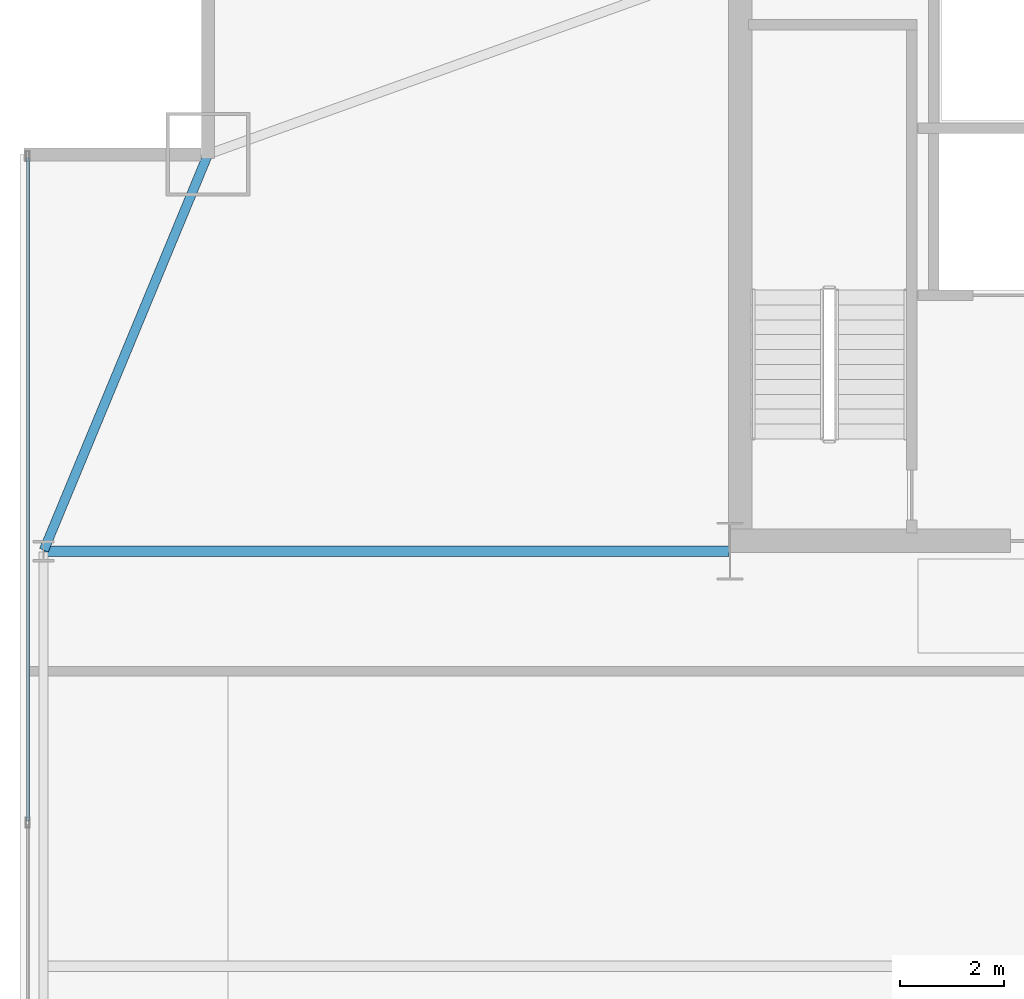
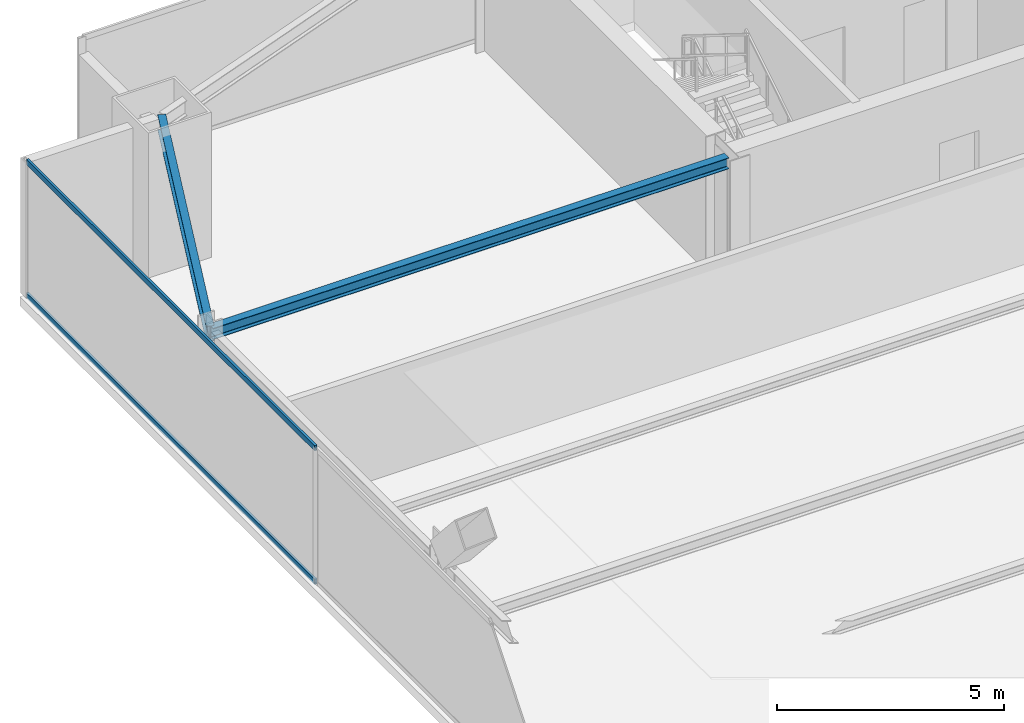
# One storey, part 20 of 35: 2 beams, 2 members, 1 element without a shape of its own.
"""IFC4 building model written with IfcOpenShell, lengths in metres."""

import ifcopenshell
import ifcopenshell.guid

model = None  # the IFC model being written
_history = None  # IfcOwnerHistory: only IFC2X3 demands one
_inside = {}  # id of a spatial element -> (the spatial element, [elements in it])
_under = {}  # id of a project, library or spatial element -> (it, [spatial elements below it])
_declared = {}  # id of a project -> (the project, [libraries it declares])
_typed = {}  # id of a type object -> (the type object, [elements of that type])
_made_of = {}  # id of a material, layer set ... -> (it, [elements and type objects made of it])


def new_model(schema):
    """Start an empty IFC model of exactly this schema.

    Asked for "IFC4X3", IfcOpenShell would pick the latest addendum, in which some entities
    have other attributes; the version numbers below select the first issue.
    IFC2X3 requires an IfcOwnerHistory on every rooted entity: one is made here for all.
    """
    global model, _history
    if schema == "IFC4X3":
        model = ifcopenshell.file(schema_version=(4, 3, 0, 0))
    else:
        model = ifcopenshell.file(schema=schema)
    _inside.clear()
    _under.clear()
    _declared.clear()
    _typed.clear()
    _made_of.clear()
    _history = None
    if model.schema == "IFC2X3":
        org = make("IfcOrganization", Name="unknown")
        user = make(
            "IfcPersonAndOrganization",
            ThePerson=make("IfcPerson", FamilyName="unknown"),
            TheOrganization=org,
        )
        app = make(
            "IfcApplication",
            ApplicationDeveloper=org,
            Version="unknown",
            ApplicationFullName="unknown",
            ApplicationIdentifier="unknown",
        )
        _history = make(
            "IfcOwnerHistory",
            OwningUser=user,
            OwningApplication=app,
            ChangeAction="ADDED",
            CreationDate=0,
        )
    return model


def make(cls, **values):
    """One entity of the class cls with the attributes given. An attribute that is None is left unset."""
    return model.create_entity(
        cls, **{name: value for name, value in values.items() if value is not None}
    )


def rooted(cls, **values):
    """An entity with a GlobalId (a new one), such as an element, a storey or a relation."""
    return make(cls, GlobalId=ifcopenshell.guid.new(), OwnerHistory=_history, **values)


def si_unit(unit_type, name, prefix=None):
    """IfcSIUnit, for example si_unit("LENGTHUNIT", "METRE", prefix="MILLI")."""
    return make("IfcSIUnit", UnitType=unit_type, Prefix=prefix, Name=name)


def assignment(units):
    """IfcUnitAssignment: the units of a project."""
    return None if units is None else make("IfcUnitAssignment", Units=units)


def point(xyz):
    """IfcCartesianPoint."""
    return None if xyz is None else make("IfcCartesianPoint", Coordinates=xyz)


def direction(xyz):
    """IfcDirection."""
    return None if xyz is None else make("IfcDirection", DirectionRatios=xyz)


def frame(location, z_axis=None, x_axis=None):
    """IfcAxis2Placement3D, a coordinate frame: its origin and axes. An axis left out is left unset."""
    return make(
        "IfcAxis2Placement3D",
        Location=point(location),
        Axis=direction(z_axis),
        RefDirection=direction(x_axis),
    )


def frame_2d(location, x_axis=None):
    """IfcAxis2Placement2D, a coordinate frame in the plane: its origin and x axis."""
    return make(
        "IfcAxis2Placement2D", Location=point(location), RefDirection=direction(x_axis)
    )


def origin():
    """The frame at (0, 0, 0) with its axes left unset."""
    return frame((0.0, 0.0, 0.0))


def origin_2d():
    """The frame at (0, 0) in the plane with its x axis left unset."""
    return frame_2d((0.0, 0.0))


def place(relative_to, where):
    """IfcLocalPlacement: puts the frame where relative to a parent placement (None: the world)."""
    return make(
        "IfcLocalPlacement", PlacementRelTo=relative_to, RelativePlacement=where
    )


def context(
    kind, dimensions, precision=None, world=None, true_north=None, identifier=None
):
    """IfcGeometricRepresentationContext, for example the 3D "Model" context."""
    return make(
        "IfcGeometricRepresentationContext",
        ContextIdentifier=identifier,
        ContextType=kind,
        CoordinateSpaceDimension=dimensions,
        Precision=precision,
        WorldCoordinateSystem=world,
        TrueNorth=true_north,
    )


def subcontext(parent, identifier, kind, view, scale=None):
    """IfcGeometricRepresentationSubContext, for example "Body" below "Model"."""
    return make(
        "IfcGeometricRepresentationSubContext",
        ContextIdentifier=identifier,
        ContextType=kind,
        ParentContext=parent,
        TargetScale=scale,
        TargetView=view,
    )


def project(units=None, contexts=None):
    """IfcProject with its units and contexts."""
    return rooted(
        "IfcProject",
        Name="project",
        RepresentationContexts=contexts,
        UnitsInContext=assignment(units),
    )


def spatial(cls, under=None, at=None, **own):
    """A site, building, storey or space (cls), placed at a placement, below another one or the project."""
    s = rooted(cls, ObjectPlacement=at, **own)
    if under is not None:
        _under.setdefault(under.id(), (under, []))[1].append(s)
    return s


def profile(cls, at=None, kind="AREA", **sizes):
    """A parametric profile (cls). Its sizes go by their IFC names, for example OverallWidth=200.0."""
    return make(cls, ProfileType=kind, Position=at, **sizes)


def hollow_rectangle(**sizes):
    """IfcRectangleHollowProfileDef."""
    return profile("IfcRectangleHollowProfileDef", **sizes)


def i_section(**sizes):
    """IfcIShapeProfileDef."""
    return profile("IfcIShapeProfileDef", **sizes)


def extrude(swept, where, along, depth):
    """IfcExtrudedAreaSolid: the profile swept, set in the frame where, extruded along a direction by depth."""
    return make(
        "IfcExtrudedAreaSolid",
        SweptArea=swept,
        Position=where,
        ExtrudedDirection=direction(along),
        Depth=depth,
    )


def shape(context_of_items, identifier, shape_type, items):
    """IfcShapeRepresentation: the items that make up one representation, for example the "Body"."""
    return make(
        "IfcShapeRepresentation",
        ContextOfItems=context_of_items,
        RepresentationIdentifier=identifier,
        RepresentationType=shape_type,
        Items=items,
    )


def source(mapping_origin, context_of_items, identifier, shape_type, items):
    """IfcRepresentationMap: a shape defined once, which mapped items show again and again."""
    return make(
        "IfcRepresentationMap",
        MappingOrigin=mapping_origin,
        MappedRepresentation=shape(context_of_items, identifier, shape_type, items),
    )


def transform(
    local_origin,
    x_axis=None,
    y_axis=None,
    z_axis=None,
    scale=None,
    scale2=None,
    scale3=None,
    uniform=True,
):
    """IfcCartesianTransformationOperator3D, or its non-uniform kind. x_axis, y_axis, z_axis: its Axis1, 2, 3."""
    if uniform:
        return make(
            "IfcCartesianTransformationOperator3D",
            Axis1=direction(x_axis),
            Axis2=direction(y_axis),
            LocalOrigin=point(local_origin),
            Scale=scale,
            Axis3=direction(z_axis),
        )
    return make(
        "IfcCartesianTransformationOperator3DnonUniform",
        Axis1=direction(x_axis),
        Axis2=direction(y_axis),
        LocalOrigin=point(local_origin),
        Scale=scale,
        Axis3=direction(z_axis),
        Scale2=scale2,
        Scale3=scale3,
    )


def mapped(mapping_source, mapping_target):
    """IfcMappedItem: shows the shape of a source again, moved by a transform."""
    return make(
        "IfcMappedItem", MappingSource=mapping_source, MappingTarget=mapping_target
    )


def material(Name=None, Category=None):
    """IfcMaterial."""
    return make("IfcMaterial", Name=Name, Category=Category)


def layer(
    of_material, thickness, ventilated=None, Name=None, Category=None, Priority=None
):
    """IfcMaterialLayer: one layer of a wall or slab, of a material (None: an air gap)."""
    return make(
        "IfcMaterialLayer",
        Material=of_material,
        LayerThickness=thickness,
        IsVentilated=ventilated,
        Name=Name,
        Category=Category,
        Priority=Priority,
    )


def layer_set(layers, Name=None):
    """IfcMaterialLayerSet."""
    return make("IfcMaterialLayerSet", MaterialLayers=layers, LayerSetName=Name)


def material_profile(
    of_material, cross_section, Name=None, Category=None, Priority=None
):
    """IfcMaterialProfile: a cross section and its material."""
    return make(
        "IfcMaterialProfile",
        Name=Name,
        Material=of_material,
        Profile=cross_section,
        Priority=Priority,
        Category=Category,
    )


def profile_set(profiles, Name=None, composite=None):
    """IfcMaterialProfileSet."""
    return make(
        "IfcMaterialProfileSet",
        Name=Name,
        MaterialProfiles=profiles,
        CompositeProfile=composite,
    )


def made_of(thing, what):
    """Note that an element or type object is made of a material, layer set ...; save() writes the relation."""
    if what is not None:
        _made_of.setdefault(what.id(), (what, []))[1].append(thing)
    return thing


def type_object(cls, material=None, **own):
    """A type object (cls), such as IfcWallType, which elements share."""
    return made_of(rooted(cls, **own), material)


def type_shapes(of_type, sources):
    """Give a type object the sources (RepresentationMaps) that its elements show as mapped items."""
    of_type.RepresentationMaps = sources


def element(
    cls,
    number,
    at=None,
    inside=None,
    cuts=None,
    type_object=None,
    material=None,
    context=None,
    identifier="Body",
    shape_type=None,
    held_by="IfcProductDefinitionShape",
    body=None,
    shapes=None,
    **own,
):
    """One element of the class cls, such as IfcWall. Its Tag is "e" and its number.

    at: its placement. inside: the storey or other place that contains it. cuts: it is an
    opening in that element (IfcRelVoidsElement). A single representation is given by context,
    identifier, shape_type and body (its items); several are given by shapes. held_by: the class
    of the entity that holds the representations. save() writes the other relations.
    """
    e = rooted(cls, Tag="e%d" % number, ObjectPlacement=at, **own)
    if body is not None:
        shapes = [shape(context, identifier, shape_type, body)]
    if shapes is not None:
        e.Representation = make(held_by, Representations=shapes)
    if inside is not None:
        _inside.setdefault(inside.id(), (inside, []))[1].append(e)
    if cuts is not None:
        rooted(
            "IfcRelVoidsElement", RelatingBuildingElement=cuts, RelatedOpeningElement=e
        )
    if type_object is not None:
        _typed.setdefault(type_object.id(), (type_object, []))[1].append(e)
    return made_of(e, material)


def aggregate(whole, parts):
    """IfcRelAggregates: a whole, such as a stair, and the parts it consists of."""
    return rooted("IfcRelAggregates", RelatingObject=whole, RelatedObjects=parts)


def save(model, path):
    """Write the relations noted so far, then the file.

    IfcRelAggregates (storeys below a building ...), IfcRelContainedInSpatialStructure (elements
    in a storey), IfcRelDefinesByType, IfcRelAssociatesMaterial and IfcRelDeclares: one each for
    every whole, place, type object, material and project.
    """
    for whole, parts in _under.values():
        aggregate(whole, parts)
    for where, things in _inside.values():
        rooted(
            "IfcRelContainedInSpatialStructure",
            RelatedElements=things,
            RelatingStructure=where,
        )
    for kind, things in _typed.values():
        rooted("IfcRelDefinesByType", RelatedObjects=things, RelatingType=kind)
    for what, things in _made_of.values():
        rooted("IfcRelAssociatesMaterial", RelatedObjects=things, RelatingMaterial=what)
    for by, libraries in _declared.values():
        rooted("IfcRelDeclares", RelatingContext=by, RelatedDefinitions=libraries)
    model.write(path)


model = new_model("IFC4")

# Units and contexts
model_context = context("Model", 3, precision=1e-05, world=origin(), true_north=direction((0.0, 1.0)))
body_context = subcontext(model_context, "Body", "Model", "MODEL_VIEW")
ifc_project = project(units=[si_unit("LENGTHUNIT", "METRE"), si_unit("AREAUNIT", "SQUARE_METRE"), si_unit("VOLUMEUNIT", "CUBIC_METRE"), si_unit("PLANEANGLEUNIT", "RADIAN"), si_unit("MASSUNIT", "GRAM", prefix="KILO")], contexts=[model_context])

# Site, building, storey
site_placement = place(None, origin())
site = spatial("IfcSite", under=ifc_project, at=site_placement, CompositionType="ELEMENT")
building_placement = place(site_placement, origin())
building = spatial("IfcBuilding", under=site, at=building_placement, Name="Varnel Quay Broadcast Tower", CompositionType="ELEMENT")
storey_placement = place(building_placement, frame((0.0, 0.0, 66.60009765625)))
storey = spatial("IfcBuildingStorey", under=building, at=storey_placement, Name="L15", CompositionType="ELEMENT", Elevation=66.60009765625)

# Beams
ifc_material_1 = material(Name="Structural Steel CSA G40.21 350W", Category="steel")
ifc_material_profile_1 = material_profile(ifc_material_1, i_section(OverallWidth=0.180908203125, OverallDepth=0.4169921875, WebThickness=0.010986328125, FlangeThickness=0.018310546875, FilletRadius=0.011962890625, at=origin_2d()), Name="W410X85")
ifc_profile_set_1 = profile_set([ifc_material_profile_1], Name="Structural Steel CSA G40.21 350W")
beam_type_1 = type_object("IfcBeamType", Name="Beam_W410X85", PredefinedType="SPANDREL", material=ifc_profile_set_1)
shared_shape_1 = source(origin(), body_context, "Body", "SweptSolid", [
    extrude(i_section(OverallWidth=0.180908203125, OverallDepth=0.4169921875, WebThickness=0.010986328125, FlangeThickness=0.018310546875, FilletRadius=0.011962890625, at=origin_2d()), origin(), (0.0, 0.0, 1.0), 8.186767578125),
])
type_shapes(beam_type_1, [shared_shape_1])
beam_1_placement = place(storey_placement, frame((2.457763671875, 35.618408203125, 3.44140625), z_axis=(0.382874132092, 0.923800519038, 0.0), x_axis=(-0.923800519038, 0.382874132092, 0.0)))
element("IfcBeam", 1, at=beam_1_placement, inside=storey, type_object=beam_type_1, Name="L15 West Spandrel TC-W3-MC-NW", PredefinedType="SPANDREL", context=body_context, shape_type="MappedRepresentation", body=[
    mapped(shared_shape_1, transform((0.0, 0.0, 0.0), x_axis=(1.0, 0.0, 0.0), y_axis=(0.0, 1.0, 0.0), z_axis=(0.0, 0.0, 1.0), scale=1.0)),
])
ifc_material_profile_2 = material_profile(ifc_material_1, i_section(OverallWidth=0.202880859375, OverallDepth=0.302978515625, WebThickness=0.007568359375, FlangeThickness=0.01318359375, FilletRadius=0.011962890625, at=origin_2d()), Name="W310X60")
ifc_profile_set_2 = profile_set([ifc_material_profile_2], Name="Structural Steel CSA G40.21 350W")
beam_type_2 = type_object("IfcBeamType", Name="Beam_W310X60", PredefinedType="JOIST", material=ifc_profile_set_2)
shared_shape_2 = source(origin(), body_context, "Body", "SweptSolid", [
    extrude(i_section(OverallWidth=0.202880859375, OverallDepth=0.302978515625, WebThickness=0.007568359375, FlangeThickness=0.01318359375, FilletRadius=0.011962890625, at=origin_2d()), origin(), (0.0, 0.0, 1.0), 13.110107421875),
])
type_shapes(beam_type_2, [shared_shape_2])
beam_2_placement = place(storey_placement, frame((2.469970703125, 35.60009765625, 3.498291015625), z_axis=(1.0, 0.0, 0.0), x_axis=(0.0, 1.0, 0.0)))
element("IfcBeam", 2, at=beam_2_placement, inside=storey, type_object=beam_type_2, Name="L15 West Core Tie Joist", PredefinedType="JOIST", context=body_context, shape_type="MappedRepresentation", body=[
    mapped(shared_shape_2, transform((0.0, 0.0, 0.0), x_axis=(1.0, 0.0, 0.0), y_axis=(0.0, 1.0, 0.0), z_axis=(0.0, 0.0, 1.0), scale=1.0)),
])

# Curtain wall, members
ifc_material_2 = material(Name="Anodised Bronze Aluminium 6063-T6", Category="aluminium")
ifc_layer = layer(ifc_material_2, 0.18994140625, Name="Anodised Bronze Aluminium 6063-T6")
ifc_layer_set = layer_set([ifc_layer], Name="Anodised Bronze Aluminium 6063-T6")
curtain_wall_type = type_object("IfcCurtainWallType", Name="CW_LowerTower", PredefinedType="NOTDEFINED", material=ifc_layer_set)
curtain_wall_placement = place(storey_placement, origin())
curtain_wall = element("IfcCurtainWall", 3, at=curtain_wall_placement, inside=storey, type_object=curtain_wall_type, Name="L15 West Unitised Curtain Wall", PredefinedType="NOTDEFINED")
ifc_material_profile_3 = material_profile(ifc_material_2, hollow_rectangle(XDim=0.06005859375, YDim=0.14501953125, WallThickness=0.00341796875, at=origin_2d()), Name="ALU60X145X3.5")
ifc_profile_set_3 = profile_set([ifc_material_profile_3], Name="Anodised Bronze Aluminium 6063-T6")
member_type = type_object("IfcMemberType", Name="Tran_CWS-02", PredefinedType="USERDEFINED", material=ifc_profile_set_3)
shared_shape_3 = source(origin(), body_context, "Body", "SweptSolid", [
    extrude(hollow_rectangle(XDim=0.06005859375, YDim=0.14501953125, WallThickness=0.00341796875, at=origin_2d()), origin(), (0.0, 0.0, 1.0), 12.69482421875),
])
type_shapes(member_type, [shared_shape_3])
member_1_placement = place(storey_placement, frame((2.14990234375, 30.43505859375, 0.02978515625), z_axis=(0.0, 1.0, 0.0), x_axis=(-1.0, 0.0, 0.0)))
member_1 = element("IfcMember", 4, at=member_1_placement, type_object=member_type, Name="CWS-02 transom 3.1", ObjectType="TRANSOM", PredefinedType="USERDEFINED", context=body_context, shape_type="MappedRepresentation", body=[
    mapped(shared_shape_3, transform((0.0, 0.0, 0.0), x_axis=(1.0, 0.0, 0.0), y_axis=(0.0, 1.0, 0.0), z_axis=(0.0, 0.0, 1.0), scale=1.0)),
])
member_2_placement = place(storey_placement, frame((2.14990234375, 30.43505859375, 3.619873046875), z_axis=(0.0, 1.0, 0.0), x_axis=(-1.0, 0.0, 0.0)))
member_2 = element("IfcMember", 5, at=member_2_placement, type_object=member_type, Name="CWS-02 transom 3.2", ObjectType="TRANSOM", PredefinedType="USERDEFINED", context=body_context, shape_type="MappedRepresentation", body=[
    mapped(shared_shape_3, transform((0.0, 0.0, 0.0), x_axis=(1.0, 0.0, 0.0), y_axis=(0.0, 1.0, 0.0), z_axis=(0.0, 0.0, 1.0), scale=1.0)),
])
aggregate(curtain_wall, [member_1, member_2])

save(model, "model.ifc")
